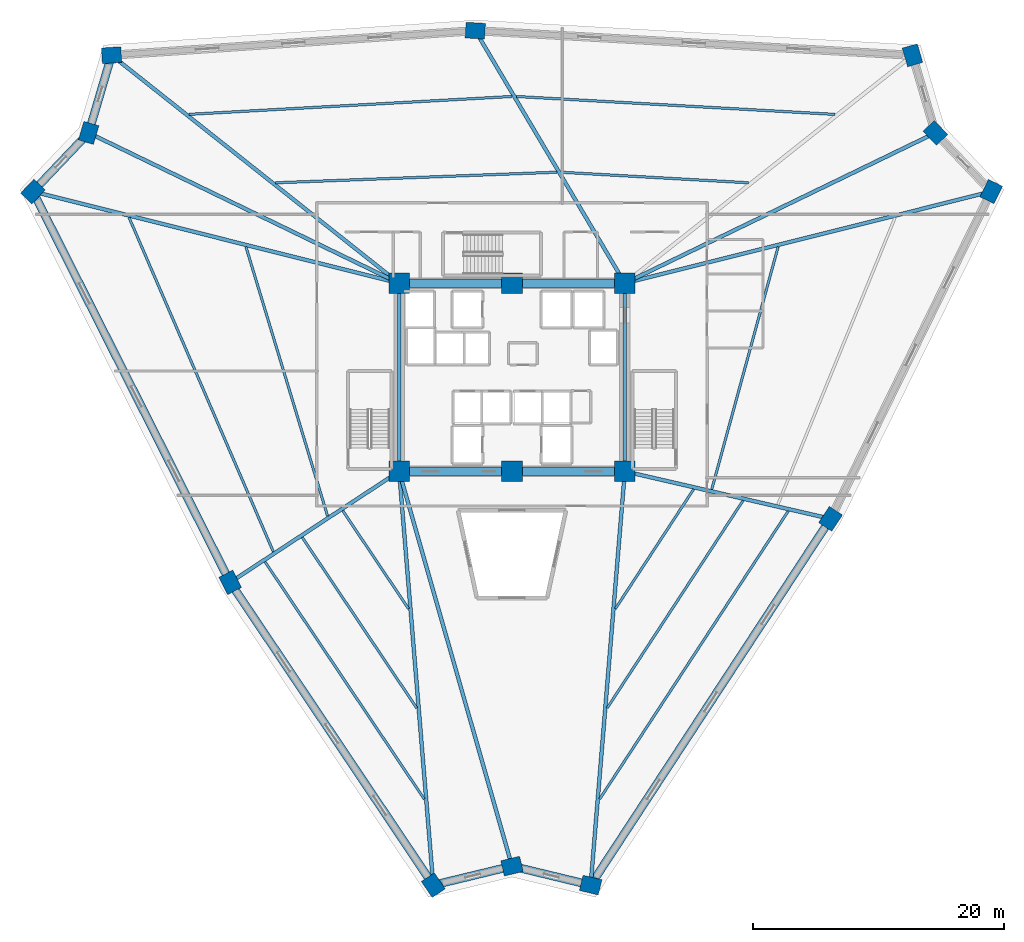
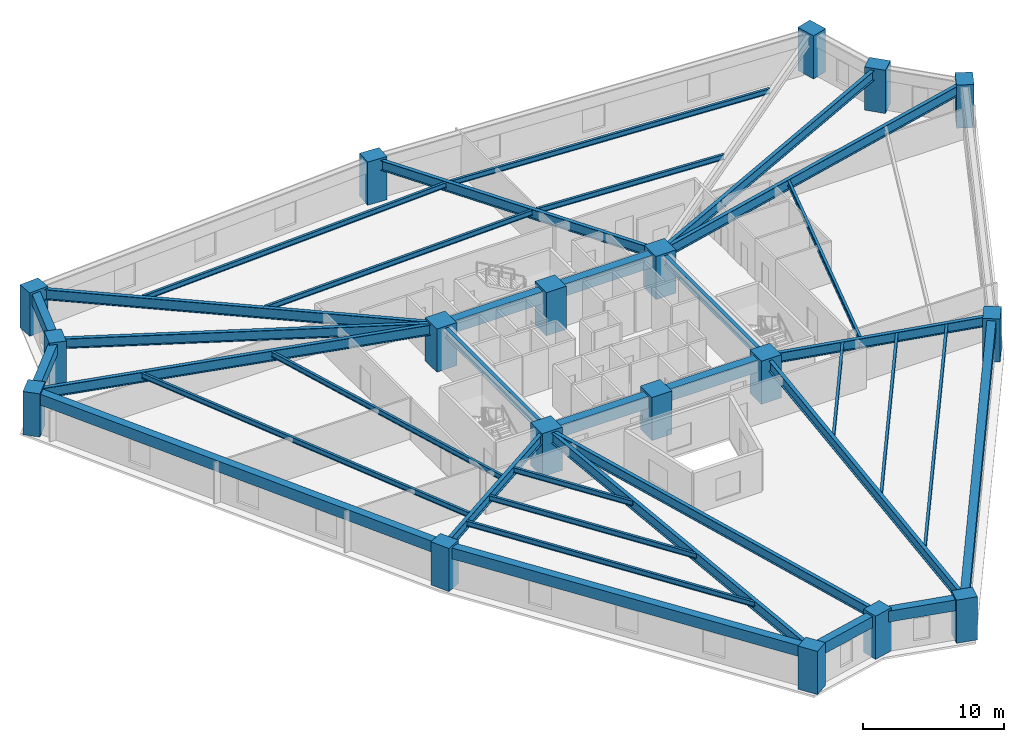
# One storey, part 1 of 8: 37 beams, 18 columns.
"""IFC4 building model written with IfcOpenShell, lengths in metres."""

from ifc_helpers import new_model, si_unit, direction, frame, origin, origin_2d, place, context, subcontext, project, spatial, rectangle, i_section, extrude, source, transform, mapped, material, material_profile, profile_set, type_object, element, save


model = new_model("IFC4")

# Units and contexts
model_context = context("Model", 3, precision=1e-05, world=origin(), true_north=direction((0.0, 1.0)))
body_context = subcontext(model_context, "Body", "Model", "MODEL_VIEW")
ifc_project = project(units=[si_unit("LENGTHUNIT", "METRE"), si_unit("AREAUNIT", "SQUARE_METRE"), si_unit("VOLUMEUNIT", "CUBIC_METRE"), si_unit("PLANEANGLEUNIT", "RADIAN"), si_unit("MASSUNIT", "GRAM", prefix="KILO")], contexts=[model_context])

# Site, building, storey
site_placement = place(None, origin())
site = spatial("IfcSite", under=ifc_project, at=site_placement, CompositionType="ELEMENT")
building_placement = place(site_placement, origin())
building = spatial("IfcBuilding", under=site, at=building_placement, Name="Liaohun Quay Tower", CompositionType="ELEMENT")
storey_placement = place(building_placement, frame((0.0, 0.0, 66.75)))
storey = spatial("IfcBuildingStorey", under=building, at=storey_placement, Name="L17", CompositionType="ELEMENT", Elevation=66.75)

# Columns
ifc_material_1 = material(Name="Concrete C60", Category="concrete")
ifc_material_profile_1 = material_profile(ifc_material_1, rectangle(XDim=1.64990234375, YDim=1.64990234375, at=origin_2d()), Name="RC1650x1650")
ifc_profile_set_1 = profile_set([ifc_material_profile_1], Name="Concrete C60")
column_type_1 = type_object("IfcColumnType", Name="COL-CC-Z1", PredefinedType="COLUMN", material=ifc_profile_set_1)
shared_shape_1 = source(origin(), body_context, "Body", "SweptSolid", [
    extrude(rectangle(XDim=1.64990234375, YDim=1.64990234375, at=origin_2d()), origin(), (0.0, 0.0, 1.0), 3.75),
])
for number, where, z_axis, x_axis, name in (
    (1, (51.0, 46.5, 0.0), (0.0, 0.0, 1.0), (1.0, 0.0, 0.0), "L17 Core Column CC1"),
    (2, (60.0, 46.5, 0.0), (0.0, 0.0, 1.0), (1.0, 0.0, 0.0), "L17 Core Column CC2"),
    (3, (69.0, 46.5, 0.0), (0.0, 0.0, 1.0), (1.0, 0.0, 0.0), "L17 Core Column CC3"),
    (4, (69.0, 61.5, 0.0), (0.0, 0.0, 1.0), (1.0, 0.0, 0.0), "L17 Core Column CC4"),
    (5, (60.0, 61.5, 0.0), (0.0, 0.0, 1.0), (1.0, 0.0, 0.0), "L17 Core Column CC5"),
    (6, (51.0, 61.5, 0.0), (0.0, 0.0, 1.0), (1.0, 0.0, 0.0), "L17 Core Column CC6"),
):
    element("IfcColumn", number, at=place(storey_placement, frame(where, z_axis=z_axis, x_axis=x_axis)), inside=storey, type_object=column_type_1, Name=name, PredefinedType="COLUMN", context=body_context, shape_type="MappedRepresentation", body=[
        mapped(shared_shape_1, transform((0.0, 0.0, 0.0), x_axis=(1.0, 0.0, 0.0), y_axis=(0.0, 1.0, 0.0), z_axis=(0.0, 0.0, 1.0), scale=1.0)),
    ])
ifc_material_profile_2 = material_profile(ifc_material_1, rectangle(XDim=1.550048828125, YDim=1.25, at=origin_2d()), Name="RC1550x1250")
ifc_profile_set_2 = profile_set([ifc_material_profile_2], Name="Concrete C60")
column_type_2 = type_object("IfcColumnType", Name="COL-PIER-Z1", PredefinedType="COLUMN", material=ifc_profile_set_2)
shared_shape_2 = source(origin(), body_context, "Body", "SweptSolid", [
    extrude(rectangle(XDim=1.550048828125, YDim=1.25, at=origin_2d()), origin(), (0.0, 0.0, 1.0), 3.75),
])
for number, where, z_axis, x_axis, name in (
    (7, (53.721923828125, 13.50390625, 0.0), (0.0, 0.0, 1.0), (-0.557165515219, 0.830401462336, 0.0), "L17 Perimeter Pier PC01"),
    (8, (37.527099609375, 37.64501953125, 0.0), (0.0, 0.0, 1.0), (-0.450565941999, 0.892743150022, 0.0), "L17 Perimeter Pier PC02"),
    (9, (21.7958984375, 68.81591796875, 0.0), (0.0, 0.0, 1.0), (0.689240273721, 0.724532846102, 0.0), "L17 Perimeter Pier PC03"),
    (10, (26.241943359375, 73.489990234375, 0.0), (0.0, 0.0, 1.0), (0.282676303383, 0.959215360337, 0.0), "L17 Perimeter Pier PC04"),
    (11, (28.068115234375, 79.68505859375, 0.0), (0.0, 0.0, 1.0), (0.997731519333, 0.067318759124, 0.0), "L17 Perimeter Pier PC05"),
    (12, (57.072998046875, 81.639892578125, 0.0), (0.0, 0.0, 1.0), (-0.998421217973, 0.05617002316, 0.0), "L17 Perimeter Pier PC06"),
    (13, (91.93408203125, 79.677978515625, 0.0), (0.0, 0.0, 1.0), (-0.282676303383, 0.959215360337, 0.0), "L17 Perimeter Pier PC07"),
    (14, (93.758056640625, 73.489990234375, 0.0), (0.0, 0.0, 1.0), (-0.689240273721, 0.724532846102, 0.0), "L17 Perimeter Pier PC08"),
    (15, (98.208984375, 68.81103515625, 0.0), (0.0, 0.0, 1.0), (0.440566004113, 0.897720221461, 0.0), "L17 Perimeter Pier PC09"),
    (16, (85.40087890625, 42.716064453125, 0.0), (0.0, 0.0, 1.0), (0.547855275974, 0.836573126862, 0.0), "L17 Perimeter Pier PC10"),
    (17, (66.27099609375, 13.506103515625, 0.0), (0.0, 0.0, 1.0), (-0.972043021443, 0.234802820391, 0.0), "L17 Perimeter Pier PC11"),
    (18, (60.0, 15.02001953125, 0.0), (0.0, 0.0, 1.0), (0.972043021443, 0.234802820391, 0.0), "L17 Perimeter Pier PC12"),
):
    element("IfcColumn", number, at=place(storey_placement, frame(where, z_axis=z_axis, x_axis=x_axis)), inside=storey, type_object=column_type_2, Name=name, PredefinedType="COLUMN", context=body_context, shape_type="MappedRepresentation", body=[
        mapped(shared_shape_2, transform((0.0, 0.0, 0.0), x_axis=(1.0, 0.0, 0.0), y_axis=(0.0, 1.0, 0.0), z_axis=(0.0, 0.0, 1.0), scale=1.0)),
    ])

# Beams
ifc_material_profile_3 = material_profile(ifc_material_1, rectangle(XDim=0.699951171875, YDim=1.050048828125, at=origin_2d()), Name="RC700x1050")
ifc_profile_set_3 = profile_set([ifc_material_profile_3], Name="Concrete C60")
beam_type_1 = type_object("IfcBeamType", Name="BM-CPL-1", PredefinedType="LINTEL", material=ifc_profile_set_3)
shared_shape_3 = source(origin(), body_context, "Body", "SweptSolid", [
    extrude(rectangle(XDim=0.699951171875, YDim=1.050048828125, at=origin_2d()), origin(), (0.0, 0.0, 1.0), 9.0),
])
for number, where, z_axis, x_axis, name in (
    (19, (51.0, 46.5, 3.044921875), (1.0, 0.0, 0.0), (0.0, 1.0, 0.0), "L17 Core Coupling/Ring Beam CC1-CC2"),
    (20, (60.0, 46.5, 3.044921875), (1.0, 0.0, 0.0), (0.0, 1.0, 0.0), "L17 Core Coupling/Ring Beam CC2-CC3"),
    (21, (69.0, 61.5, 3.044921875), (-1.0, 0.0, 0.0), (0.0, -1.0, 0.0), "L17 Core Coupling/Ring Beam CC4-CC5"),
    (22, (60.0, 61.5, 3.044921875), (-1.0, 0.0, 0.0), (0.0, -1.0, 0.0), "L17 Core Coupling/Ring Beam CC5-CC6"),
):
    element("IfcBeam", number, at=place(storey_placement, frame(where, z_axis=z_axis, x_axis=x_axis)), inside=storey, type_object=beam_type_1, Name=name, PredefinedType="LINTEL", context=body_context, shape_type="MappedRepresentation", body=[
        mapped(shared_shape_3, transform((0.0, 0.0, 0.0), x_axis=(1.0, 0.0, 0.0), y_axis=(0.0, 1.0, 0.0), z_axis=(0.0, 0.0, 1.0), scale=1.0)),
    ])
ifc_material_2 = material(Name="Steel Q355D", Category="steel")
ifc_material_profile_4 = material_profile(ifc_material_2, i_section(OverallWidth=0.300048828125, OverallDepth=0.800048828125, WebThickness=0.013916015625, FlangeThickness=0.02587890625, at=origin_2d()), Name="HN800x300x14x26")
ifc_profile_set_4 = profile_set([ifc_material_profile_4], Name="Steel Q355D")
beam_type_2 = type_object("IfcBeamType", Name="BM-RAD-M1", PredefinedType="BEAM", material=ifc_profile_set_4)
shared_shape_4 = source(origin(), body_context, "Body", "SweptSolid", [
    extrude(i_section(OverallWidth=0.300048828125, OverallDepth=0.800048828125, WebThickness=0.013916015625, FlangeThickness=0.02587890625, at=origin_2d()), origin(), (0.0, 0.0, 1.0), 15.0),
])
for number, where, z_axis, x_axis, name in (
    (23, (69.0, 46.5, 3.169921875), (0.0, 1.0, 0.0), (-1.0, 0.0, 0.0), "L17 Core Coupling/Ring Beam CC3-CC4"),
    (24, (51.0, 61.5, 3.169921875), (0.0, -1.0, 0.0), (1.0, 0.0, 0.0), "L17 Core Coupling/Ring Beam CC6-CC1"),
):
    element("IfcBeam", number, at=place(storey_placement, frame(where, z_axis=z_axis, x_axis=x_axis)), inside=storey, type_object=beam_type_2, Name=name, PredefinedType="BEAM", context=body_context, shape_type="MappedRepresentation", body=[
        mapped(shared_shape_4, transform((0.0, 0.0, 0.0), x_axis=(1.0, 0.0, 0.0), y_axis=(0.0, 1.0, 0.0), z_axis=(0.0, 0.0, 1.0), scale=1.0)),
    ])
ifc_material_3 = material(Name="Steel Q420D", Category="steel")
ifc_material_profile_5 = material_profile(ifc_material_3, i_section(OverallWidth=0.300048828125, OverallDepth=0.89990234375, WebThickness=0.01611328125, FlangeThickness=0.028076171875, at=origin_2d()), Name="HN900x300x16x28")
ifc_profile_set_5 = profile_set([ifc_material_profile_5], Name="Steel Q420D")
beam_type_3 = type_object("IfcBeamType", Name="BM-RAD-H1", PredefinedType="BEAM", material=ifc_profile_set_5)
shared_shape_5 = source(origin(), body_context, "Body", "SweptSolid", [
    extrude(i_section(OverallWidth=0.300048828125, OverallDepth=0.89990234375, WebThickness=0.01611328125, FlangeThickness=0.028076171875, at=origin_2d()), origin(), (0.0, 0.0, 1.0), 33.108154296875),
])
beam_1_placement = place(storey_placement, frame((51.0, 46.5, 3.1201171875), z_axis=(0.082213050139, -0.996614777327, 0.0), x_axis=(0.996614777327, 0.082213050139, 0.0)))
element("IfcBeam", 25, at=beam_1_placement, inside=storey, type_object=beam_type_3, Name="L17 Radial Primary Girder CC1-PC01", PredefinedType="BEAM", context=body_context, shape_type="MappedRepresentation", body=[
    mapped(shared_shape_5, transform((0.0, 0.0, 0.0), x_axis=(1.0, 0.0, 0.0), y_axis=(0.0, 1.0, 0.0), z_axis=(0.0, 0.0, 1.0), scale=1.0)),
])
ifc_material_profile_6 = material_profile(ifc_material_2, i_section(OverallWidth=0.300048828125, OverallDepth=0.85009765625, WebThickness=0.01611328125, FlangeThickness=0.028076171875, at=origin_2d()), Name="HN850x300x16x28")
ifc_profile_set_6 = profile_set([ifc_material_profile_6], Name="Steel Q355D")
beam_type_4 = type_object("IfcBeamType", Name="BM-RAD-H2", PredefinedType="BEAM", material=ifc_profile_set_6)
shared_shape_6 = source(origin(), body_context, "Body", "SweptSolid", [
    extrude(i_section(OverallWidth=0.300048828125, OverallDepth=0.85009765625, WebThickness=0.01611328125, FlangeThickness=0.028076171875, at=origin_2d()), origin(), (0.0, 0.0, 1.0), 16.122314453125),
])
beam_2_placement = place(storey_placement, frame((51.0, 46.5, 3.14501953125), z_axis=(-0.835666756769, -0.549236808336, 0.0), x_axis=(0.549236808336, -0.835666756769, 0.0)))
element("IfcBeam", 26, at=beam_2_placement, inside=storey, type_object=beam_type_4, Name="L17 Radial Primary Girder CC1-PC02", PredefinedType="BEAM", context=body_context, shape_type="MappedRepresentation", body=[
    mapped(shared_shape_6, transform((0.0, 0.0, 0.0), x_axis=(1.0, 0.0, 0.0), y_axis=(0.0, 1.0, 0.0), z_axis=(0.0, 0.0, 1.0), scale=1.0)),
])
shared_shape_7 = source(origin(), body_context, "Body", "SweptSolid", [
    extrude(i_section(OverallWidth=0.300048828125, OverallDepth=0.89990234375, WebThickness=0.01611328125, FlangeThickness=0.028076171875, at=origin_2d()), origin(), (0.0, 0.0, 1.0), 30.1064453125),
])
beam_3_placement = place(storey_placement, frame((51.0, 61.5, 3.1201171875), z_axis=(-0.970025997145, 0.243001162268, 0.0), x_axis=(-0.243001162268, -0.970025997145, 0.0)))
element("IfcBeam", 27, at=beam_3_placement, inside=storey, type_object=beam_type_3, Name="L17 Radial Primary Girder CC6-PC03", PredefinedType="BEAM", context=body_context, shape_type="MappedRepresentation", body=[
    mapped(shared_shape_7, transform((0.0, 0.0, 0.0), x_axis=(1.0, 0.0, 0.0), y_axis=(0.0, 1.0, 0.0), z_axis=(0.0, 0.0, 1.0), scale=1.0)),
])
shared_shape_8 = source(origin(), body_context, "Body", "SweptSolid", [
    extrude(i_section(OverallWidth=0.300048828125, OverallDepth=0.85009765625, WebThickness=0.01611328125, FlangeThickness=0.028076171875, at=origin_2d()), origin(), (0.0, 0.0, 1.0), 27.508544921875),
])
for number, where, z_axis, x_axis, name in (
    (28, (51.0, 61.5, 3.14501953125), (-0.900012604526, 0.435863868305, 0.0), (-0.435863868305, -0.900012604526, 0.0), "L17 Radial Primary Girder CC6-PC04"),
    (29, (69.0, 61.5, 3.14501953125), (0.900012604526, 0.435863868305, 0.0), (-0.435863868305, 0.900012604526, 0.0), "L17 Radial Primary Girder CC4-PC08"),
):
    element("IfcBeam", number, at=place(storey_placement, frame(where, z_axis=z_axis, x_axis=x_axis)), inside=storey, type_object=beam_type_4, Name=name, PredefinedType="BEAM", context=body_context, shape_type="MappedRepresentation", body=[
        mapped(shared_shape_8, transform((0.0, 0.0, 0.0), x_axis=(1.0, 0.0, 0.0), y_axis=(0.0, 1.0, 0.0), z_axis=(0.0, 0.0, 1.0), scale=1.0)),
    ])
shared_shape_9 = source(origin(), body_context, "Body", "SweptSolid", [
    extrude(i_section(OverallWidth=0.300048828125, OverallDepth=0.89990234375, WebThickness=0.01611328125, FlangeThickness=0.028076171875, at=origin_2d()), origin(), (0.0, 0.0, 1.0), 29.26708984375),
])
beam_4_placement = place(storey_placement, frame((51.0, 61.5, 3.1201171875), z_axis=(-0.783535909792, 0.621346504027, 0.0), x_axis=(-0.621346504027, -0.783535909792, 0.0)))
element("IfcBeam", 30, at=beam_4_placement, inside=storey, type_object=beam_type_3, Name="L17 Radial Primary Girder CC6-PC05", PredefinedType="BEAM", context=body_context, shape_type="MappedRepresentation", body=[
    mapped(shared_shape_9, transform((0.0, 0.0, 0.0), x_axis=(1.0, 0.0, 0.0), y_axis=(0.0, 1.0, 0.0), z_axis=(0.0, 0.0, 1.0), scale=1.0)),
])
shared_shape_10 = source(origin(), body_context, "Body", "SweptSolid", [
    extrude(i_section(OverallWidth=0.300048828125, OverallDepth=0.85009765625, WebThickness=0.01611328125, FlangeThickness=0.028076171875, at=origin_2d()), origin(), (0.0, 0.0, 1.0), 23.406494140625),
])
beam_5_placement = place(storey_placement, frame((69.0, 61.5, 3.14501953125), z_axis=(-0.509557344745, 0.860436698669, 0.0), x_axis=(-0.860436698669, -0.509557344745, 0.0)))
element("IfcBeam", 31, at=beam_5_placement, inside=storey, type_object=beam_type_4, Name="L17 Radial Primary Girder CC4-PC06", PredefinedType="BEAM", context=body_context, shape_type="MappedRepresentation", body=[
    mapped(shared_shape_10, transform((0.0, 0.0, 0.0), x_axis=(1.0, 0.0, 0.0), y_axis=(0.0, 1.0, 0.0), z_axis=(0.0, 0.0, 1.0), scale=1.0)),
])
shared_shape_11 = source(origin(), body_context, "Body", "SweptSolid", [
    extrude(i_section(OverallWidth=0.300048828125, OverallDepth=0.89990234375, WebThickness=0.01611328125, FlangeThickness=0.028076171875, at=origin_2d()), origin(), (0.0, 0.0, 1.0), 30.110107421875),
])
beam_6_placement = place(storey_placement, frame((69.0, 61.5, 3.1201171875), z_axis=(0.970073779405, 0.242810342678, 0.0), x_axis=(-0.242810342678, 0.970073779405, 0.0)))
element("IfcBeam", 32, at=beam_6_placement, inside=storey, type_object=beam_type_3, Name="L17 Radial Primary Girder CC4-PC09", PredefinedType="BEAM", context=body_context, shape_type="MappedRepresentation", body=[
    mapped(shared_shape_11, transform((0.0, 0.0, 0.0), x_axis=(1.0, 0.0, 0.0), y_axis=(0.0, 1.0, 0.0), z_axis=(0.0, 0.0, 1.0), scale=1.0)),
])
shared_shape_12 = source(origin(), body_context, "Body", "SweptSolid", [
    extrude(i_section(OverallWidth=0.300048828125, OverallDepth=0.85009765625, WebThickness=0.01611328125, FlangeThickness=0.028076171875, at=origin_2d()), origin(), (0.0, 0.0, 1.0), 16.831787109375),
])
beam_7_placement = place(storey_placement, frame((69.0, 46.5, 3.14501953125), z_axis=(0.974402684171, -0.224809717496, 0.0), x_axis=(0.224809717496, 0.974402684171, 0.0)))
element("IfcBeam", 33, at=beam_7_placement, inside=storey, type_object=beam_type_4, Name="L17 Radial Primary Girder CC3-PC10", PredefinedType="BEAM", context=body_context, shape_type="MappedRepresentation", body=[
    mapped(shared_shape_12, transform((0.0, 0.0, 0.0), x_axis=(1.0, 0.0, 0.0), y_axis=(0.0, 1.0, 0.0), z_axis=(0.0, 0.0, 1.0), scale=1.0)),
])
shared_shape_13 = source(origin(), body_context, "Body", "SweptSolid", [
    extrude(i_section(OverallWidth=0.300048828125, OverallDepth=0.89990234375, WebThickness=0.01611328125, FlangeThickness=0.028076171875, at=origin_2d()), origin(), (0.0, 0.0, 1.0), 33.1064453125),
])
beam_8_placement = place(storey_placement, frame((69.0, 46.5, 3.1201171875), z_axis=(-0.082430897907, -0.996596782591, 0.0), x_axis=(0.996596782591, -0.082430897907, 0.0)))
element("IfcBeam", 34, at=beam_8_placement, inside=storey, type_object=beam_type_3, Name="L17 Radial Primary Girder CC3-PC11", PredefinedType="BEAM", context=body_context, shape_type="MappedRepresentation", body=[
    mapped(shared_shape_13, transform((0.0, 0.0, 0.0), x_axis=(1.0, 0.0, 0.0), y_axis=(0.0, 1.0, 0.0), z_axis=(0.0, 0.0, 1.0), scale=1.0)),
])
shared_shape_14 = source(origin(), body_context, "Body", "SweptSolid", [
    extrude(i_section(OverallWidth=0.300048828125, OverallDepth=0.85009765625, WebThickness=0.01611328125, FlangeThickness=0.028076171875, at=origin_2d()), origin(), (0.0, 0.0, 1.0), 32.7412109375),
])
beam_9_placement = place(storey_placement, frame((51.0, 46.5, 3.14501953125), z_axis=(0.274882638281, -0.961477787144, 0.0), x_axis=(0.961477787144, 0.274882638281, 0.0)))
element("IfcBeam", 35, at=beam_9_placement, inside=storey, type_object=beam_type_4, Name="L17 Radial Primary Girder CC1-PC12", PredefinedType="BEAM", context=body_context, shape_type="MappedRepresentation", body=[
    mapped(shared_shape_14, transform((0.0, 0.0, 0.0), x_axis=(1.0, 0.0, 0.0), y_axis=(0.0, 1.0, 0.0), z_axis=(0.0, 0.0, 1.0), scale=1.0)),
])
ifc_material_profile_7 = material_profile(ifc_material_2, i_section(OverallWidth=0.199951171875, OverallDepth=0.449951171875, WebThickness=0.009033203125, FlangeThickness=0.013916015625, at=origin_2d()), Name="HN450x200x9x14")
ifc_profile_set_7 = profile_set([ifc_material_profile_7], Name="Steel Q355D")
beam_type_5 = type_object("IfcBeamType", Name="BM-SEC-J1", PredefinedType="JOIST", material=ifc_profile_set_7)
shared_shape_15 = source(origin(), body_context, "Body", "SweptSolid", [
    extrude(i_section(OverallWidth=0.199951171875, OverallDepth=0.449951171875, WebThickness=0.009033203125, FlangeThickness=0.013916015625, at=origin_2d()), origin(), (0.0, 0.0, 1.0), 9.426025390625),
])
beam_10_placement = place(storey_placement, frame((51.75390625, 35.537109375, 3.344970703125), z_axis=(-0.557076828269, 0.830460960796, 0.0), x_axis=(-0.830460960796, -0.557076828269, 0.0)))
element("IfcBeam", 36, at=beam_10_placement, inside=storey, type_object=beam_type_5, Name="L17 Wing Secondary Floor Joist SJ-01", PredefinedType="JOIST", context=body_context, shape_type="MappedRepresentation", body=[
    mapped(shared_shape_15, transform((0.0, 0.0, 0.0), x_axis=(1.0, 0.0, 0.0), y_axis=(0.0, 1.0, 0.0), z_axis=(0.0, 0.0, 1.0), scale=1.0)),
])
shared_shape_16 = source(origin(), body_context, "Body", "SweptSolid", [
    extrude(i_section(OverallWidth=0.199951171875, OverallDepth=0.449951171875, WebThickness=0.009033203125, FlangeThickness=0.013916015625, at=origin_2d()), origin(), (0.0, 0.0, 1.0), 16.403076171875),
])
beam_11_placement = place(storey_placement, frame((52.406982421875, 27.617919921875, 3.344970703125), z_axis=(-0.557085042858, 0.830455450355, 0.0), x_axis=(-0.830455450355, -0.557085042858, 0.0)))
element("IfcBeam", 37, at=beam_11_placement, inside=storey, type_object=beam_type_5, Name="L17 Wing Secondary Floor Joist SJ-02", PredefinedType="JOIST", context=body_context, shape_type="MappedRepresentation", body=[
    mapped(shared_shape_16, transform((0.0, 0.0, 0.0), x_axis=(1.0, 0.0, 0.0), y_axis=(0.0, 1.0, 0.0), z_axis=(0.0, 0.0, 1.0), scale=1.0)),
])
shared_shape_17 = source(origin(), body_context, "Body", "SweptSolid", [
    extrude(i_section(OverallWidth=0.199951171875, OverallDepth=0.449951171875, WebThickness=0.009033203125, FlangeThickness=0.013916015625, at=origin_2d()), origin(), (0.0, 0.0, 1.0), 22.7978515625),
])
beam_12_placement = place(storey_placement, frame((53.006103515625, 20.35888671875, 3.344970703125), z_axis=(-0.557119704894, 0.830432197364, 0.0), x_axis=(-0.830432197364, -0.557119704894, 0.0)))
element("IfcBeam", 38, at=beam_12_placement, inside=storey, type_object=beam_type_5, Name="L17 Wing Secondary Floor Joist SJ-03", PredefinedType="JOIST", context=body_context, shape_type="MappedRepresentation", body=[
    mapped(shared_shape_17, transform((0.0, 0.0, 0.0), x_axis=(1.0, 0.0, 0.0), y_axis=(0.0, 1.0, 0.0), z_axis=(0.0, 0.0, 1.0), scale=1.0)),
])
shared_shape_18 = source(origin(), body_context, "Body", "SweptSolid", [
    extrude(i_section(OverallWidth=0.199951171875, OverallDepth=0.449951171875, WebThickness=0.009033203125, FlangeThickness=0.013916015625, at=origin_2d()), origin(), (0.0, 0.0, 1.0), 22.439453125),
])
beam_13_placement = place(storey_placement, frame((45.2958984375, 42.930908203125, 3.344970703125), z_axis=(-0.290157469186, 0.956978914645, 0.0), x_axis=(-0.956978914645, -0.290157469186, 0.0)))
element("IfcBeam", 39, at=beam_13_placement, inside=storey, type_object=beam_type_5, Name="L17 Wing Secondary Floor Joist SJ-04", PredefinedType="JOIST", context=body_context, shape_type="MappedRepresentation", body=[
    mapped(shared_shape_18, transform((0.0, 0.0, 0.0), x_axis=(1.0, 0.0, 0.0), y_axis=(0.0, 1.0, 0.0), z_axis=(0.0, 0.0, 1.0), scale=1.0)),
])
shared_shape_19 = source(origin(), body_context, "Body", "SweptSolid", [
    extrude(i_section(OverallWidth=0.199951171875, OverallDepth=0.449951171875, WebThickness=0.009033203125, FlangeThickness=0.013916015625, at=origin_2d()), origin(), (0.0, 0.0, 1.0), 29.030517578125),
])
beam_14_placement = place(storey_placement, frame((40.969970703125, 40.0869140625, 3.344970703125), z_axis=(-0.396336619549, 0.918105268477, 0.0), x_axis=(-0.918105268477, -0.396336619549, 0.0)))
element("IfcBeam", 40, at=beam_14_placement, inside=storey, type_object=beam_type_5, Name="L17 Wing Secondary Floor Joist SJ-05", PredefinedType="JOIST", context=body_context, shape_type="MappedRepresentation", body=[
    mapped(shared_shape_19, transform((0.0, 0.0, 0.0), x_axis=(1.0, 0.0, 0.0), y_axis=(0.0, 1.0, 0.0), z_axis=(0.0, 0.0, 1.0), scale=1.0)),
])
shared_shape_20 = source(origin(), body_context, "Body", "SweptSolid", [
    extrude(i_section(OverallWidth=0.199951171875, OverallDepth=0.449951171875, WebThickness=0.009033203125, FlangeThickness=0.013916015625, at=origin_2d()), origin(), (0.0, 0.0, 1.0), 22.4580078125),
])
beam_15_placement = place(storey_placement, frame((41.139892578125, 69.510009765625, 3.344970703125), z_axis=(0.999291950891, 0.03762441872, 0.0), x_axis=(-0.03762441872, 0.999291950891, 0.0)))
element("IfcBeam", 41, at=beam_15_placement, inside=storey, type_object=beam_type_5, Name="L17 Wing Secondary Floor Joist SJ-06", PredefinedType="JOIST", context=body_context, shape_type="MappedRepresentation", body=[
    mapped(shared_shape_20, transform((0.0, 0.0, 0.0), x_axis=(1.0, 0.0, 0.0), y_axis=(0.0, 1.0, 0.0), z_axis=(0.0, 0.0, 1.0), scale=1.0)),
])
shared_shape_21 = source(origin(), body_context, "Body", "SweptSolid", [
    extrude(i_section(OverallWidth=0.199951171875, OverallDepth=0.449951171875, WebThickness=0.009033203125, FlangeThickness=0.013916015625, at=origin_2d()), origin(), (0.0, 0.0, 1.0), 25.7880859375),
])
beam_16_placement = place(storey_placement, frame((34.256103515625, 74.968994140625, 3.344970703125), z_axis=(0.998472012075, 0.055259760252, 0.0), x_axis=(-0.055259760252, 0.998472012075, 0.0)))
element("IfcBeam", 42, at=beam_16_placement, inside=storey, type_object=beam_type_5, Name="L17 Wing Secondary Floor Joist SJ-07", PredefinedType="JOIST", context=body_context, shape_type="MappedRepresentation", body=[
    mapped(shared_shape_21, transform((0.0, 0.0, 0.0), x_axis=(1.0, 0.0, 0.0), y_axis=(0.0, 1.0, 0.0), z_axis=(0.0, 0.0, 1.0), scale=1.0)),
])
shared_shape_22 = source(origin(), body_context, "Body", "SweptSolid", [
    extrude(i_section(OverallWidth=0.199951171875, OverallDepth=0.449951171875, WebThickness=0.009033203125, FlangeThickness=0.013916015625, at=origin_2d()), origin(), (0.0, 0.0, 1.0), 14.956787109375),
])
beam_17_placement = place(storey_placement, frame((63.931884765625, 70.35107421875, 3.344970703125), z_axis=(0.998421335537, -0.05616793342, 0.0), x_axis=(0.05616793342, 0.998421335537, 0.0)))
element("IfcBeam", 43, at=beam_17_placement, inside=storey, type_object=beam_type_5, Name="L17 Wing Secondary Floor Joist SJ-08", PredefinedType="JOIST", context=body_context, shape_type="MappedRepresentation", body=[
    mapped(shared_shape_22, transform((0.0, 0.0, 0.0), x_axis=(1.0, 0.0, 0.0), y_axis=(0.0, 1.0, 0.0), z_axis=(0.0, 0.0, 1.0), scale=1.0)),
])
shared_shape_23 = source(origin(), body_context, "Body", "SweptSolid", [
    extrude(i_section(OverallWidth=0.199951171875, OverallDepth=0.449951171875, WebThickness=0.009033203125, FlangeThickness=0.013916015625, at=origin_2d()), origin(), (0.0, 0.0, 1.0), 25.432373046875),
])
beam_18_placement = place(storey_placement, frame((60.35400390625, 76.39306640625, 3.344970703125), z_axis=(0.998420279626, -0.056186699774, 0.0), x_axis=(0.056186699774, 0.998420279626, 0.0)))
element("IfcBeam", 44, at=beam_18_placement, inside=storey, type_object=beam_type_5, Name="L17 Wing Secondary Floor Joist SJ-09", PredefinedType="JOIST", context=body_context, shape_type="MappedRepresentation", body=[
    mapped(shared_shape_23, transform((0.0, 0.0, 0.0), x_axis=(1.0, 0.0, 0.0), y_axis=(0.0, 1.0, 0.0), z_axis=(0.0, 0.0, 1.0), scale=1.0)),
])
shared_shape_24 = source(origin(), body_context, "Body", "SweptSolid", [
    extrude(i_section(OverallWidth=0.199951171875, OverallDepth=0.449951171875, WebThickness=0.009033203125, FlangeThickness=0.013916015625, at=origin_2d()), origin(), (0.0, 0.0, 1.0), 20.060302734375),
])
beam_19_placement = place(storey_placement, frame((81.221923828125, 64.405029296875, 3.344970703125), z_axis=(-0.263902025944, -0.964549491059, 0.0), x_axis=(0.964549491059, -0.263902025944, 0.0)))
element("IfcBeam", 45, at=beam_19_placement, inside=storey, type_object=beam_type_5, Name="L17 Wing Secondary Floor Joist SJ-10", PredefinedType="JOIST", context=body_context, shape_type="MappedRepresentation", body=[
    mapped(shared_shape_24, transform((0.0, 0.0, 0.0), x_axis=(1.0, 0.0, 0.0), y_axis=(0.0, 1.0, 0.0), z_axis=(0.0, 0.0, 1.0), scale=1.0)),
])
shared_shape_25 = source(origin(), body_context, "Body", "SweptSolid", [
    extrude(i_section(OverallWidth=0.199951171875, OverallDepth=0.449951171875, WebThickness=0.009033203125, FlangeThickness=0.013916015625, at=origin_2d()), origin(), (0.0, 0.0, 1.0), 11.398193359375),
])
beam_20_placement = place(storey_placement, frame((74.489013671875, 45.080078125, 3.344970703125), z_axis=(-0.547900160039, -0.83654373145, 0.0), x_axis=(0.83654373145, -0.547900160039, 0.0)))
element("IfcBeam", 46, at=beam_20_placement, inside=storey, type_object=beam_type_5, Name="L17 Wing Secondary Floor Joist SJ-12", PredefinedType="JOIST", context=body_context, shape_type="MappedRepresentation", body=[
    mapped(shared_shape_25, transform((0.0, 0.0, 0.0), x_axis=(1.0, 0.0, 0.0), y_axis=(0.0, 1.0, 0.0), z_axis=(0.0, 0.0, 1.0), scale=1.0)),
])
shared_shape_26 = source(origin(), body_context, "Body", "SweptSolid", [
    extrude(i_section(OverallWidth=0.199951171875, OverallDepth=0.449951171875, WebThickness=0.009033203125, FlangeThickness=0.013916015625, at=origin_2d()), origin(), (0.0, 0.0, 1.0), 19.77783203125),
])
beam_21_placement = place(storey_placement, frame((78.425048828125, 44.172119140625, 3.344970703125), z_axis=(-0.547884784168, -0.836553801782, 0.0), x_axis=(0.836553801782, -0.547884784168, 0.0)))
element("IfcBeam", 47, at=beam_21_placement, inside=storey, type_object=beam_type_5, Name="L17 Wing Secondary Floor Joist SJ-13", PredefinedType="JOIST", context=body_context, shape_type="MappedRepresentation", body=[
    mapped(shared_shape_26, transform((0.0, 0.0, 0.0), x_axis=(1.0, 0.0, 0.0), y_axis=(0.0, 1.0, 0.0), z_axis=(0.0, 0.0, 1.0), scale=1.0)),
])
shared_shape_27 = source(origin(), body_context, "Body", "SweptSolid", [
    extrude(i_section(OverallWidth=0.199951171875, OverallDepth=0.449951171875, WebThickness=0.009033203125, FlangeThickness=0.013916015625, at=origin_2d()), origin(), (0.0, 0.0, 1.0), 27.458984375),
])
beam_22_placement = place(storey_placement, frame((82.032958984375, 43.339111328125, 3.344970703125), z_axis=(-0.547869654852, -0.836563710241, 0.0), x_axis=(0.836563710241, -0.547869654852, 0.0)))
element("IfcBeam", 48, at=beam_22_placement, inside=storey, type_object=beam_type_5, Name="L17 Wing Secondary Floor Joist SJ-14", PredefinedType="JOIST", context=body_context, shape_type="MappedRepresentation", body=[
    mapped(shared_shape_27, transform((0.0, 0.0, 0.0), x_axis=(1.0, 0.0, 0.0), y_axis=(0.0, 1.0, 0.0), z_axis=(0.0, 0.0, 1.0), scale=1.0)),
])
ifc_material_4 = material(Name="Precast concrete C55", Category="concrete")
ifc_material_profile_8 = material_profile(ifc_material_4, rectangle(XDim=0.64990234375, YDim=0.949951171875, at=origin_2d()), Name="RC650x950")
ifc_profile_set_8 = profile_set([ifc_material_profile_8], Name="Precast concrete C55")
beam_type_6 = type_object("IfcBeamType", Name="BM-SPD-Z1", PredefinedType="SPANDREL", material=ifc_profile_set_8)
shared_shape_28 = source(origin(), body_context, "Body", "SweptSolid", [
    extrude(rectangle(XDim=0.64990234375, YDim=0.949951171875, at=origin_2d()), origin(), (0.0, 0.0, 1.0), 29.070068359375),
])
beam_23_placement = place(storey_placement, frame((53.721923828125, 13.50390625, 3.094970703125), z_axis=(-0.557097238605, 0.830447269089, 0.0), x_axis=(-0.830447269089, -0.557097238605, 0.0)))
element("IfcBeam", 49, at=beam_23_placement, inside=storey, type_object=beam_type_6, Name="L17 Precast Spandrel Beam PC01-PC02", PredefinedType="SPANDREL", context=body_context, shape_type="MappedRepresentation", body=[
    mapped(shared_shape_28, transform((0.0, 0.0, 0.0), x_axis=(1.0, 0.0, 0.0), y_axis=(0.0, 1.0, 0.0), z_axis=(0.0, 0.0, 1.0), scale=1.0)),
])
shared_shape_29 = source(origin(), body_context, "Body", "SweptSolid", [
    extrude(rectangle(XDim=0.64990234375, YDim=0.949951171875, at=origin_2d()), origin(), (0.0, 0.0, 1.0), 34.91552734375),
])
beam_24_placement = place(storey_placement, frame((37.527099609375, 37.64501953125, 3.094970703125), z_axis=(-0.450550009349, 0.892751191024, 0.0), x_axis=(-0.892751191024, -0.450550009349, 0.0)))
element("IfcBeam", 50, at=beam_24_placement, inside=storey, type_object=beam_type_6, Name="L17 Precast Spandrel Beam PC02-PC03", PredefinedType="SPANDREL", context=body_context, shape_type="MappedRepresentation", body=[
    mapped(shared_shape_29, transform((0.0, 0.0, 0.0), x_axis=(1.0, 0.0, 0.0), y_axis=(0.0, 1.0, 0.0), z_axis=(0.0, 0.0, 1.0), scale=1.0)),
])
shared_shape_30 = source(origin(), body_context, "Body", "SweptSolid", [
    extrude(rectangle(XDim=0.64990234375, YDim=0.949951171875, at=origin_2d()), origin(), (0.0, 0.0, 1.0), 6.450927734375),
])
beam_25_placement = place(storey_placement, frame((21.7958984375, 68.81591796875, 3.094970703125), z_axis=(0.689211827604, 0.724559905523, 0.0), x_axis=(-0.724559905523, 0.689211827604, 0.0)))
element("IfcBeam", 51, at=beam_25_placement, inside=storey, type_object=beam_type_6, Name="L17 Precast Spandrel Beam PC03-PC04", PredefinedType="SPANDREL", context=body_context, shape_type="MappedRepresentation", body=[
    mapped(shared_shape_30, transform((0.0, 0.0, 0.0), x_axis=(1.0, 0.0, 0.0), y_axis=(0.0, 1.0, 0.0), z_axis=(0.0, 0.0, 1.0), scale=1.0)),
])
shared_shape_31 = source(origin(), body_context, "Body", "SweptSolid", [
    extrude(rectangle(XDim=0.64990234375, YDim=0.949951171875, at=origin_2d()), origin(), (0.0, 0.0, 1.0), 6.458740234375),
])
beam_26_placement = place(storey_placement, frame((26.241943359375, 73.489990234375, 3.094970703125), z_axis=(0.282749534854, 0.959193776325, 0.0), x_axis=(-0.959193776325, 0.282749534854, 0.0)))
element("IfcBeam", 52, at=beam_26_placement, inside=storey, type_object=beam_type_6, Name="L17 Precast Spandrel Beam PC04-PC05", PredefinedType="SPANDREL", context=body_context, shape_type="MappedRepresentation", body=[
    mapped(shared_shape_31, transform((0.0, 0.0, 0.0), x_axis=(1.0, 0.0, 0.0), y_axis=(0.0, 1.0, 0.0), z_axis=(0.0, 0.0, 1.0), scale=1.0)),
])
shared_shape_32 = source(origin(), body_context, "Body", "SweptSolid", [
    extrude(rectangle(XDim=0.64990234375, YDim=0.949951171875, at=origin_2d()), origin(), (0.0, 0.0, 1.0), 6.451171875),
])
beam_27_placement = place(storey_placement, frame((66.27099609375, 13.506103515625, 3.094970703125), z_axis=(-0.972074171359, 0.234673827634, 0.0), x_axis=(-0.234673827634, -0.972074171359, 0.0)))
element("IfcBeam", 53, at=beam_27_placement, inside=storey, type_object=beam_type_6, Name="L17 Precast Spandrel Beam PC11-PC12", PredefinedType="SPANDREL", context=body_context, shape_type="MappedRepresentation", body=[
    mapped(shared_shape_32, transform((0.0, 0.0, 0.0), x_axis=(1.0, 0.0, 0.0), y_axis=(0.0, 1.0, 0.0), z_axis=(0.0, 0.0, 1.0), scale=1.0)),
])
shared_shape_33 = source(origin(), body_context, "Body", "SweptSolid", [
    extrude(rectangle(XDim=0.64990234375, YDim=0.949951171875, at=origin_2d()), origin(), (0.0, 0.0, 1.0), 34.916748046875),
])
beam_28_placement = place(storey_placement, frame((85.40087890625, 42.716064453125, 3.094970703125), z_axis=(-0.547872398738, -0.83656191325, 0.0), x_axis=(0.83656191325, -0.547872398738, 0.0)))
element("IfcBeam", 54, at=beam_28_placement, inside=storey, type_object=beam_type_6, Name="L17 Precast Spandrel Beam PC10-PC11", PredefinedType="SPANDREL", context=body_context, shape_type="MappedRepresentation", body=[
    mapped(shared_shape_33, transform((0.0, 0.0, 0.0), x_axis=(1.0, 0.0, 0.0), y_axis=(0.0, 1.0, 0.0), z_axis=(0.0, 0.0, 1.0), scale=1.0)),
])
shared_shape_34 = source(origin(), body_context, "Body", "SweptSolid", [
    extrude(rectangle(XDim=0.64990234375, YDim=0.949951171875, at=origin_2d()), origin(), (0.0, 0.0, 1.0), 6.45849609375),
])
beam_29_placement = place(storey_placement, frame((60.0, 15.02001953125, 3.094970703125), z_axis=(-0.972056931371, -0.234745228225, 0.0), x_axis=(0.234745228225, -0.972056931371, 0.0)))
element("IfcBeam", 55, at=beam_29_placement, inside=storey, type_object=beam_type_6, Name="L17 Precast Spandrel Beam PC12-PC01", PredefinedType="SPANDREL", context=body_context, shape_type="MappedRepresentation", body=[
    mapped(shared_shape_34, transform((0.0, 0.0, 0.0), x_axis=(1.0, 0.0, 0.0), y_axis=(0.0, 1.0, 0.0), z_axis=(0.0, 0.0, 1.0), scale=1.0)),
])

save(model, "model.ifc")
